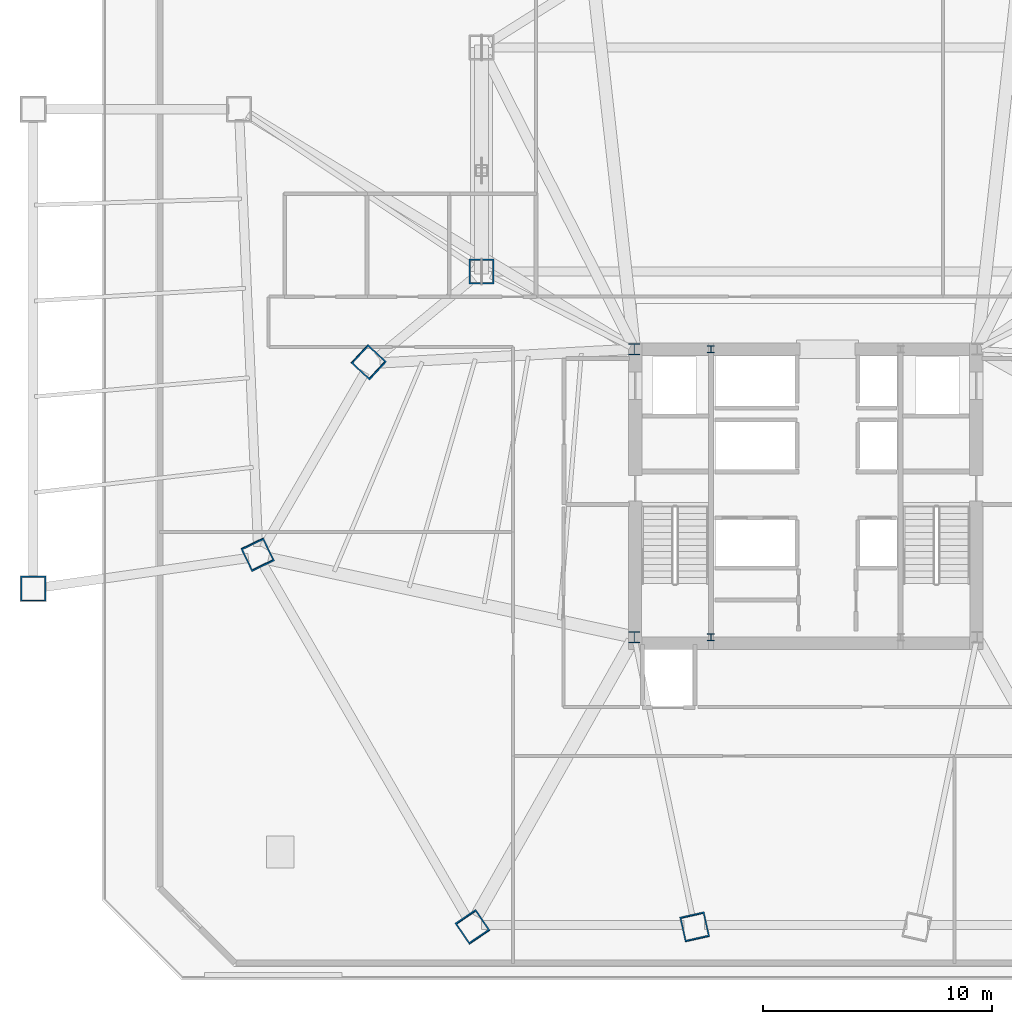
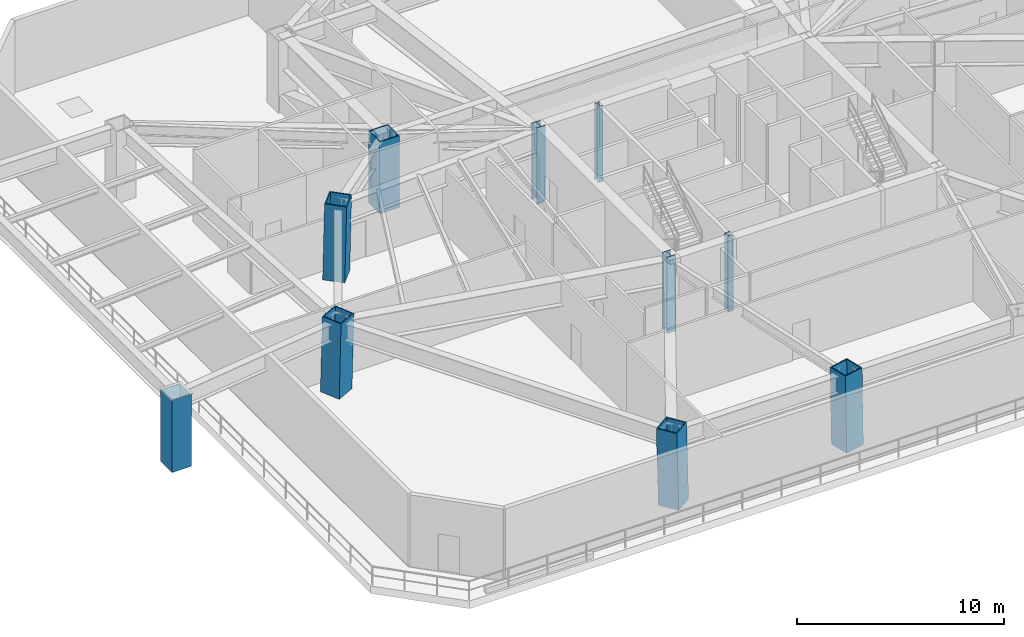
# One storey, part 1 of 13: 10 columns.
"""IFC4 building model written with IfcOpenShell, lengths in metres."""

from ifc_helpers import new_model, si_unit, direction, frame, origin, origin_2d, place, context, subcontext, project, spatial, hollow_rectangle, i_section, extrude, source, transform, mapped, material, material_profile, profile_set, type_object, type_shapes, element, save


model = new_model("IFC4")

# Units and contexts
model_context = context("Model", 3, precision=1e-05, world=origin(), true_north=direction((0.0, 1.0)))
body_context = subcontext(model_context, "Body", "Model", "MODEL_VIEW")
ifc_project = project(units=[si_unit("LENGTHUNIT", "METRE"), si_unit("AREAUNIT", "SQUARE_METRE"), si_unit("VOLUMEUNIT", "CUBIC_METRE"), si_unit("PLANEANGLEUNIT", "RADIAN"), si_unit("MASSUNIT", "GRAM", prefix="KILO")], contexts=[model_context])

# Site, building, storey
site_placement = place(None, origin())
site = spatial("IfcSite", under=ifc_project, at=site_placement, CompositionType="ELEMENT")
building_placement = place(site_placement, origin())
building = spatial("IfcBuilding", under=site, at=building_placement, Name="Caelisora Broadcast Tower", CompositionType="ELEMENT")
storey_placement = place(building_placement, frame((0.0, 0.0, 23.10009765625)))
storey = spatial("IfcBuildingStorey", under=building, at=storey_placement, Name="L05", CompositionType="ELEMENT", Elevation=23.10009765625)

# Columns
ifc_material_1 = material(Name="Steel Grade 350 (AS/NZS 3679.2)", Category="steel")
ifc_material_profile_1 = material_profile(ifc_material_1, i_section(OverallWidth=0.5, OverallDepth=0.5, WebThickness=0.028076171875, FlangeThickness=0.0400390625, at=origin_2d()), Name="Steel Grade 350 (AS/NZS 3679.2)")
ifc_profile_set_1 = profile_set([ifc_material_profile_1], Name="Steel Grade 350 (AS/NZS 3679.2)")
column_type_1 = type_object("IfcColumnType", Name="CC01", PredefinedType="COLUMN", material=ifc_profile_set_1)
shared_shape_1 = source(origin(), body_context, "Body", "SweptSolid", [
    extrude(i_section(OverallWidth=0.5, OverallDepth=0.5, WebThickness=0.028076171875, FlangeThickness=0.0400390625, at=origin_2d()), origin(), (0.0, 0.0, 1.0), 4.5),
])
type_shapes(column_type_1, [shared_shape_1])
for number, where, z_axis, x_axis, name in (
    (1, (30.5, 17.39990234375, 0.0), (0.0, 0.0, 1.0), (1.0, 0.0, 0.0), "L05 column CC01"),
    (2, (30.5, 30.0, 0.0), (0.0, 0.0, 1.0), (1.0, 0.0, 0.0), "L05 column CC01"),
):
    element("IfcColumn", number, at=place(storey_placement, frame(where, z_axis=z_axis, x_axis=x_axis)), inside=storey, type_object=column_type_1, Name=name, PredefinedType="COLUMN", context=body_context, shape_type="MappedRepresentation", body=[
        mapped(shared_shape_1, transform((0.0, 0.0, 0.0), scale=1.0)),
    ])
ifc_material_2 = material(Name="Steel Grade 350 (AS/NZS 3679.1)", Category="steel")
ifc_material_profile_2 = material_profile(ifc_material_2, i_section(OverallWidth=0.306884765625, OverallDepth=0.314697265625, WebThickness=0.011962890625, FlangeThickness=0.018798828125, at=origin_2d()), Name="Steel Grade 350 (AS/NZS 3679.1)")
ifc_profile_set_2 = profile_set([ifc_material_profile_2], Name="Steel Grade 350 (AS/NZS 3679.1)")
column_type_2 = type_object("IfcColumnType", Name="CC04", PredefinedType="COLUMN", material=ifc_profile_set_2)
shared_shape_2 = source(origin(), body_context, "Body", "SweptSolid", [
    extrude(i_section(OverallWidth=0.306884765625, OverallDepth=0.314697265625, WebThickness=0.011962890625, FlangeThickness=0.018798828125, at=origin_2d()), origin(), (0.0, 0.0, 1.0), 4.5),
])
type_shapes(column_type_2, [shared_shape_2])
for number, where, z_axis, x_axis, name in (
    (3, (33.85009765625, 17.39990234375, 0.0), (0.0, 0.0, 1.0), (1.0, 0.0, 0.0), "L05 column CC04"),
    (4, (33.85009765625, 30.0, 0.0), (0.0, 0.0, 1.0), (1.0, 0.0, 0.0), "L05 column CC04"),
):
    element("IfcColumn", number, at=place(storey_placement, frame(where, z_axis=z_axis, x_axis=x_axis)), inside=storey, type_object=column_type_2, Name=name, PredefinedType="COLUMN", context=body_context, shape_type="MappedRepresentation", body=[
        mapped(shared_shape_2, transform((0.0, 0.0, 0.0), scale=1.0)),
    ])
ifc_material_3 = material(Name="Steel Grade 350 L15 (AS/NZS 3678)", Category="steel")
ifc_material_profile_3 = material_profile(ifc_material_3, hollow_rectangle(XDim=1.10009765625, YDim=1.10009765625, WallThickness=0.06005859375, at=origin_2d()), Name="Steel Grade 350 L15 (AS/NZS 3678)")
ifc_profile_set_3 = profile_set([ifc_material_profile_3], Name="Steel Grade 350 L15 (AS/NZS 3678)")
column_type_3 = type_object("IfcColumnType", Name="MC03", PredefinedType="COLUMN", material=ifc_profile_set_3)
shared_shape_3 = source(origin(), body_context, "Body", "SweptSolid", [
    extrude(hollow_rectangle(XDim=1.10009765625, YDim=1.10009765625, WallThickness=0.06005859375, at=origin_2d()), origin(), (0.0, 0.0, 1.0), 4.501220703125),
])
for number, where, z_axis, x_axis, name in (
    (5, (14.00927734375, 21.025146484375, 0.0), (0.010413674417, -0.021586679261, 0.999712744074), (0.900673807124, 0.434495906954, 0.0), "L05 column MC03"),
    (6, (23.42822265625, 4.7109375, 0.0), (-0.013451006786, 0.019796844666, 0.999713536648), (-0.827137189058, -0.562000062702, 0.0), "L05 column MC03"),
):
    element("IfcColumn", number, at=place(storey_placement, frame(where, z_axis=z_axis, x_axis=x_axis)), inside=storey, type_object=column_type_3, Name=name, PredefinedType="COLUMN", context=body_context, shape_type="MappedRepresentation", body=[
        mapped(shared_shape_3, transform((0.0, 0.0, 0.0), scale=1.0)),
    ])
shared_shape_4 = source(origin(), body_context, "Body", "SweptSolid", [
    extrude(hollow_rectangle(XDim=1.10009765625, YDim=1.10009765625, WallThickness=0.06005859375, at=origin_2d()), origin(), (0.0, 0.0, 1.0), 4.5009765625),
])
for number, where, z_axis, x_axis, name in (
    (7, (18.866455078125, 29.43798828125, 0.0), (0.01491662865, -0.013777540644, 0.999793815526), (0.678501966239, 0.734598585494, 0.0), "L05 column MC03"),
    (8, (33.142578125, 4.7109375, 0.0), (-0.004447868708, 0.019798439982, 0.999794097921), (-0.975681262541, -0.219194146653, 0.0), "L05 column MC03"),
):
    element("IfcColumn", number, at=place(storey_placement, frame(where, z_axis=z_axis, x_axis=x_axis)), inside=storey, type_object=column_type_3, Name=name, PredefinedType="COLUMN", context=body_context, shape_type="MappedRepresentation", body=[
        mapped(shared_shape_4, transform((0.0, 0.0, 0.0), scale=1.0)),
    ])
shared_shape_5 = source(origin(), body_context, "Body", "SweptSolid", [
    extrude(hollow_rectangle(XDim=1.10009765625, YDim=1.10009765625, WallThickness=0.06005859375, at=origin_2d()), origin(), (0.0, 0.0, 1.0), 4.25),
])
type_shapes(column_type_3, [shared_shape_3, shared_shape_4, shared_shape_5])
for number, where, z_axis, x_axis, name in (
    (9, (23.81103515625, 33.39990234375, 0.0), (0.0, 0.0, 1.0), (1.0, 0.0, 0.0), "L05 column MC03"),
    (10, (4.199951171875, 19.52587890625, 0.0), (0.0, 0.0, 1.0), (1.0, 0.0, 0.0), "L05 column MC03"),
):
    element("IfcColumn", number, at=place(storey_placement, frame(where, z_axis=z_axis, x_axis=x_axis)), inside=storey, type_object=column_type_3, Name=name, PredefinedType="COLUMN", context=body_context, shape_type="MappedRepresentation", body=[
        mapped(shared_shape_5, transform((0.0, 0.0, 0.0), scale=1.0)),
    ])

save(model, "model.ifc")
